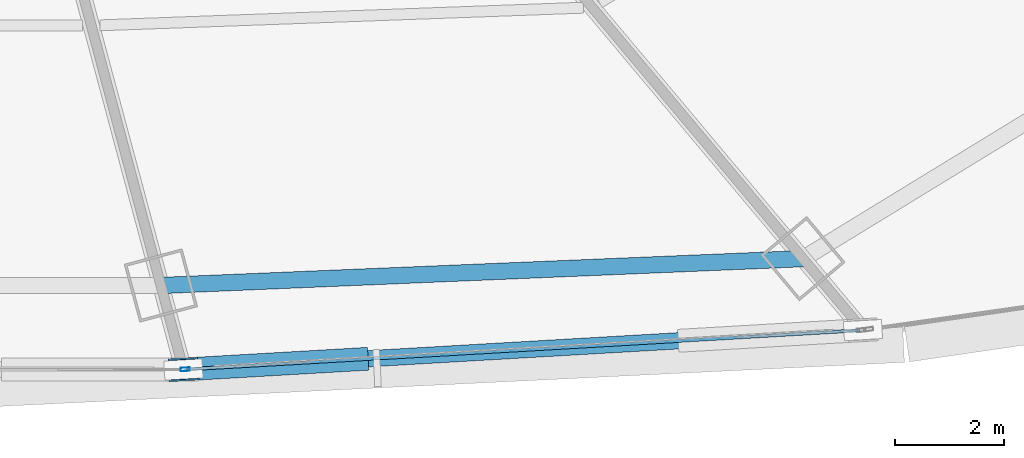
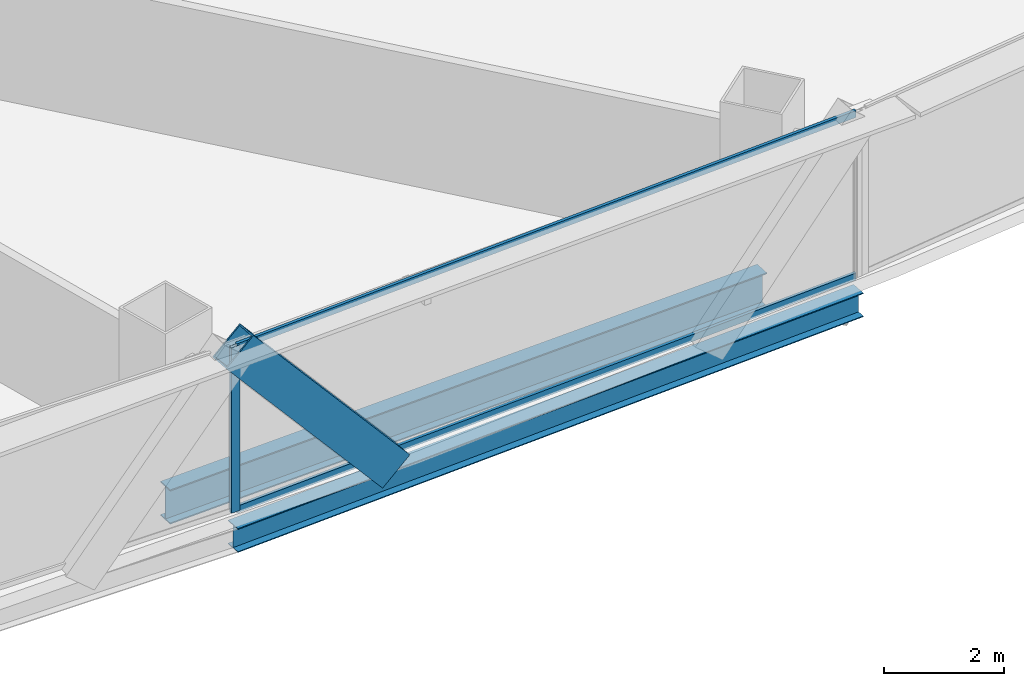
# One storey, part 10 of 42: 4 members, 2 beams, 1 element without a shape of its own.
"""IFC4 building model written with IfcOpenShell, lengths in metres."""

from ifc_helpers import new_model, si_unit, direction, frame, origin, origin_2d, place, context, subcontext, project, spatial, hollow_rectangle, i_section, extrude, source, transform, mapped, material, layer, layer_set, material_profile, profile_set, type_object, element, aggregate, save


model = new_model("IFC4")

# Units and contexts
model_context = context("Model", 3, precision=1e-05, world=origin(), true_north=direction((0.0, 1.0)))
body_context = subcontext(model_context, "Body", "Model", "MODEL_VIEW")
ifc_project = project(units=[si_unit("LENGTHUNIT", "METRE"), si_unit("AREAUNIT", "SQUARE_METRE"), si_unit("VOLUMEUNIT", "CUBIC_METRE"), si_unit("PLANEANGLEUNIT", "RADIAN"), si_unit("MASSUNIT", "GRAM", prefix="KILO"), si_unit("THERMODYNAMICTEMPERATUREUNIT", "KELVIN"), si_unit("POWERUNIT", "WATT")], contexts=[model_context])

# Site, building, storey
site_placement = place(None, origin())
site = spatial("IfcSite", under=ifc_project, at=site_placement, CompositionType="ELEMENT")
building_placement = place(site_placement, origin())
building = spatial("IfcBuilding", under=site, at=building_placement, Name="Yunzhuo Pagoda Commons", CompositionType="ELEMENT")
storey_placement = place(building_placement, frame((0.0, 0.0, 44.919921875)))
storey = spatial("IfcBuildingStorey", under=building, at=storey_placement, Name="L11", CompositionType="ELEMENT", Elevation=44.919921875)

# Beams
ifc_material_1 = material(Name="Structural steel Q355B", Category="steel")
ifc_material_profile_1 = material_profile(ifc_material_1, i_section(OverallWidth=0.300048828125, OverallDepth=0.699951171875, WebThickness=0.012939453125, FlangeThickness=0.02392578125, at=origin_2d()), Name="Structural steel Q355B")
ifc_profile_set_1 = profile_set([ifc_material_profile_1], Name="Structural steel Q355B")
beam_type_1 = type_object("IfcBeamType", Name="B-RG1 Beam HN 700x300x13x24", PredefinedType="BEAM", material=ifc_profile_set_1)
shared_shape_1 = source(origin(), body_context, "Body", "SweptSolid", [
    extrude(i_section(OverallWidth=0.300048828125, OverallDepth=0.699951171875, WebThickness=0.012939453125, FlangeThickness=0.02392578125, at=origin_2d()), origin(), (0.0, 0.0, 1.0), 11.7900390625),
])
beam_1_placement = place(storey_placement, frame((53.72021484375, 12.35205078125, -0.60986328125), z_axis=(0.99912739354, 0.041766631146, 0.0), x_axis=(-0.041766631146, 0.99912739354, 0.0)))
element("IfcBeam", 1, at=beam_1_placement, inside=storey, type_object=beam_type_1, Name="L11 column-ring beam 3", PredefinedType="BEAM", context=body_context, shape_type="MappedRepresentation", body=[
    mapped(shared_shape_1, transform((0.0, 0.0, 0.0), scale=1.0)),
])
ifc_material_profile_2 = material_profile(ifc_material_1, i_section(OverallWidth=0.300048828125, OverallDepth=0.488037109375, WebThickness=0.010986328125, FlangeThickness=0.01806640625, at=origin_2d()), Name="Structural steel Q355B")
ifc_profile_set_2 = profile_set([ifc_material_profile_2], Name="Structural steel Q355B")
beam_type_2 = type_object("IfcBeamType", Name="B-SP1 Beam HM 488x300x11x18", PredefinedType="BEAM", material=ifc_profile_set_2)
shared_shape_2 = source(origin(), body_context, "Body", "SweptSolid", [
    extrude(i_section(OverallWidth=0.300048828125, OverallDepth=0.488037109375, WebThickness=0.010986328125, FlangeThickness=0.01806640625, at=origin_2d()), origin(), (0.0, 0.0, 1.0), 12.488037109375),
])
beam_2_placement = place(storey_placement, frame((54.133056640625, 10.811279296875, -0.50390625), z_axis=(0.998328811504, 0.057789134978, 0.0), x_axis=(-0.057789134978, 0.998328811504, 0.0)))
element("IfcBeam", 2, at=beam_2_placement, inside=storey, type_object=beam_type_2, Name="L11 facade edge spandrel beam F1.3", PredefinedType="BEAM", context=body_context, shape_type="MappedRepresentation", body=[
    mapped(shared_shape_2, transform((0.0, 0.0, 0.0), scale=1.0)),
])

# Member
ifc_material_2 = material(Name="Structural steel Q420B", Category="steel")
ifc_material_profile_3 = material_profile(ifc_material_2, hollow_rectangle(XDim=0.419921875, YDim=0.719970703125, WallThickness=0.028076171875, at=origin_2d()), Name="Structural steel Q420B")
ifc_profile_set_3 = profile_set([ifc_material_profile_3], Name="Structural steel Q420B")
member_type_1 = type_object("IfcMemberType", Name="M-DL1 Brace BOX 720x420x28", PredefinedType="BRACE", material=ifc_profile_set_3)
shared_shape_3 = source(origin(), body_context, "Body", "SweptSolid", [
    extrude(hollow_rectangle(XDim=0.419921875, YDim=0.719970703125, WallThickness=0.028076171875, at=origin_2d()), origin(), (0.0, 0.0, 1.0), 4.787841796875),
])
member_1_placement = place(storey_placement, frame((57.249755859375, 10.99169921875, -0.260009765625), z_axis=(-0.650950433086, -0.037682310046, 0.758184395233), x_axis=(0.057791390819, -0.99832868092, 0.0)))
element("IfcMember", 3, at=member_1_placement, inside=storey, type_object=member_type_1, Name="L11 facade diamond brace F1.3L", PredefinedType="BRACE", context=body_context, shape_type="MappedRepresentation", body=[
    mapped(shared_shape_3, transform((0.0, 0.0, 0.0), scale=1.0)),
])

# Curtain wall, members
ifc_material_3 = material(Name="Anodized aluminium 6063-T6", Category="aluminium")
ifc_layer = layer(ifc_material_3, 0.1650390625)
ifc_layer_set = layer_set([ifc_layer], Name="Anodized aluminium 6063-T6")
curtain_wall_type = type_object("IfcCurtainWallType", Name="CW-LOW Low-Zone Ribbon Curtain Wall", PredefinedType="NOTDEFINED", material=ifc_layer_set)
curtain_wall_placement = place(storey_placement, origin())
curtain_wall = element("IfcCurtainWall", 4, at=curtain_wall_placement, inside=storey, type_object=curtain_wall_type, Name="L11 curtain wall CW-L11-F1B4", PredefinedType="NOTDEFINED")
ifc_material_profile_4 = material_profile(ifc_material_3, hollow_rectangle(XDim=0.06494140625, YDim=0.1650390625, WallThickness=0.00390625, at=origin_2d()), Name="Anodized aluminium 6063-T6")
ifc_profile_set_4 = profile_set([ifc_material_profile_4], Name="Anodized aluminium 6063-T6")
member_type_2 = type_object("IfcMemberType", Name="CW-LOW-M Mullion RHS 165x65x4", PredefinedType="MULLION", material=ifc_profile_set_4)
shared_shape_4 = source(origin(), body_context, "Body", "SweptSolid", [
    extrude(hollow_rectangle(XDim=0.06494140625, YDim=0.1650390625, WallThickness=0.00390625, at=origin_2d()), origin(), (0.0, 0.0, 1.0), 3.3701171875),
])
member_2_placement = place(storey_placement, frame((54.16552734375, 10.813232421875, 0.0), z_axis=(0.0, 0.0, 1.0), x_axis=(-0.057790687505, 0.998328721633, 0.0)))
member_2 = element("IfcMember", 5, at=member_2_placement, type_object=member_type_2, Name="CW mullion 1", PredefinedType="MULLION", context=body_context, shape_type="MappedRepresentation", body=[
    mapped(shared_shape_4, transform((0.0, 0.0, 0.0), scale=1.0)),
])
ifc_material_profile_5 = material_profile(ifc_material_3, hollow_rectangle(XDim=0.06005859375, YDim=0.139892578125, WallThickness=0.00341796875, at=origin_2d()), Name="Anodized aluminium 6063-T6")
ifc_profile_set_5 = profile_set([ifc_material_profile_5], Name="Anodized aluminium 6063-T6")
member_type_3 = type_object("IfcMemberType", Name="CW-LOW-T Transom RHS 140x60x3.5", PredefinedType="USERDEFINED", material=ifc_profile_set_5)
shared_shape_5 = source(origin(), body_context, "Body", "SweptSolid", [
    extrude(hollow_rectangle(XDim=0.06005859375, YDim=0.139892578125, WallThickness=0.00341796875, at=origin_2d()), origin(), (0.0, 0.0, 1.0), 12.358154296875),
])
member_3_placement = place(storey_placement, frame((54.197998046875, 10.81494140625, 0.030029296875), z_axis=(0.998327904956, 0.0578047938, 0.0), x_axis=(-0.0578047938, 0.998327904956, 0.0)))
member_3 = element("IfcMember", 6, at=member_3_placement, type_object=member_type_3, Name="CW transom 1.1", ObjectType="TRANSOM", PredefinedType="USERDEFINED", context=body_context, shape_type="MappedRepresentation", body=[
    mapped(shared_shape_5, transform((0.0, 0.0, 0.0), scale=1.0)),
])
member_4_placement = place(storey_placement, frame((54.197998046875, 10.81494140625, 3.340087890625), z_axis=(0.998327904956, 0.0578047938, 0.0), x_axis=(-0.0578047938, 0.998327904956, 0.0)))
member_4 = element("IfcMember", 7, at=member_4_placement, type_object=member_type_3, Name="CW transom 1.2", ObjectType="TRANSOM", PredefinedType="USERDEFINED", context=body_context, shape_type="MappedRepresentation", body=[
    mapped(shared_shape_5, transform((0.0, 0.0, 0.0), scale=1.0)),
])
aggregate(curtain_wall, [member_2, member_3, member_4])

save(model, "model.ifc")
